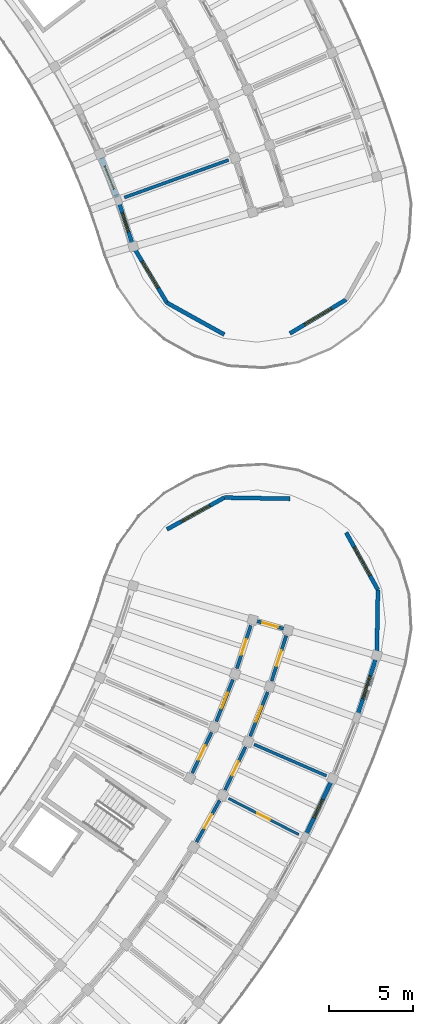
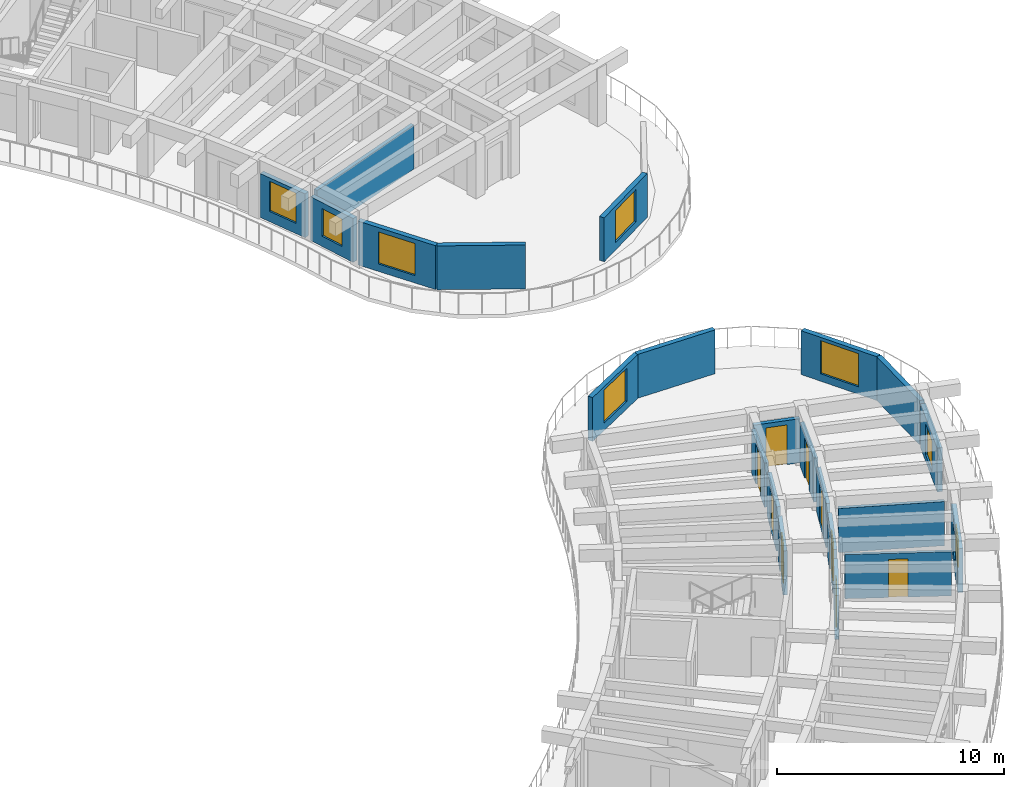
# One storey, part 69 of 96: 22 walls, 9 doors, 8 windows, 17 openings.
"""IFC4 building model written with IfcOpenShell, lengths in metres."""

from ifc_helpers import new_model, si_unit, direction, frame, frame_2d, origin, place, context, subcontext, project, spatial, rectangle, extrude, material, layer, layer_set, type_object, element, fill, save


model = new_model("IFC4")

# Units and contexts
model_context = context("Model", 3, precision=1e-05, world=origin(), true_north=direction((0.0, 1.0)))
body_context = subcontext(model_context, "Body", "Model", "MODEL_VIEW")
ifc_project = project(units=[si_unit("LENGTHUNIT", "METRE"), si_unit("AREAUNIT", "SQUARE_METRE"), si_unit("VOLUMEUNIT", "CUBIC_METRE"), si_unit("PLANEANGLEUNIT", "RADIAN"), si_unit("MASSUNIT", "GRAM", prefix="KILO")], contexts=[model_context])

# Site, building, storey
site_placement = place(None, origin())
site = spatial("IfcSite", under=ifc_project, at=site_placement, CompositionType="ELEMENT")
building_placement = place(site_placement, origin())
building = spatial("IfcBuilding", under=site, at=building_placement, Name="Tanwirah Colonnade Gardens", CompositionType="ELEMENT")
storey_placement = place(building_placement, frame((0.0, 0.0, 12.199951171875)))
storey = spatial("IfcBuildingStorey", under=building, at=storey_placement, Name="L03", CompositionType="ELEMENT", Elevation=12.199951171875)

# Wall, opening, window
ifc_material_1 = material(Name="Limestone architectural precast concrete C40/50", Category="masonry")
ifc_layer_1 = layer(ifc_material_1, 0.239990234375)
ifc_layer_set_1 = layer_set([ifc_layer_1], Name="Limestone architectural precast concrete C40/50")
wall_type_1 = type_object("IfcWallType", Name="EW-PC240", PredefinedType="SOLIDWALL", material=ifc_layer_set_1)
wall_1_placement = place(storey_placement, frame((163.65283203125, 72.685302734375, 0.0), z_axis=(0.0, 0.0, 1.0), x_axis=(-0.30716379336, 0.951656662903, 0.0)))
wall_1 = element("IfcWall", 1, at=wall_1_placement, inside=storey, type_object=wall_type_1, Name="Block B L03 IN Precast Facade Wall 0", PredefinedType="SOLIDWALL", context=body_context, shape_type="SweptSolid", body=[
    extrude(rectangle(XDim=2.525146484375, YDim=0.239990234375, at=frame_2d((1.2626953125, 0.0))), origin(), (0.0, 0.0, 1.0), 2.35498046875),
])
opening_1_placement = place(wall_1_placement, frame((0.672607421875, 0.0, 0.550048828125)))
opening_1 = element("IfcOpeningElement", 2, at=opening_1_placement, cuts=wall_1, Name="Opening WIN-T16", PredefinedType="OPENING", context=body_context, shape_type="SweptSolid", body=[
    extrude(rectangle(XDim=1.179931640625, YDim=1.47998046875, at=frame_2d((0.58984375, 0.739990234375))), frame((0.0, 0.1298828125, 0.0), z_axis=(0.0, -1.0, 0.0), x_axis=(1.0, 0.0, 0.0)), (0.0, 0.0, 1.0), 0.260009765625),
])
ifc_material_2 = material(Name="Thermally broken bronze aluminium and solar low-E double glazing", Category="aluminium")
window_type_1 = type_object("IfcWindowType", Name="WIN-T16", PartitioningType="SINGLE_PANEL", PredefinedType="WINDOW", material=ifc_material_2)
window_1_placement = place(opening_1_placement, origin())
window_1 = element("IfcWindow", 3, at=window_1_placement, inside=storey, type_object=window_type_1, Name="Facade window B-L03-IN-00", OverallHeight=1.47998046875, OverallWidth=1.179931640625, PartitioningType="SINGLE_PANEL", PredefinedType="WINDOW", context=body_context, shape_type="SweptSolid", body=[
    extrude(rectangle(XDim=1.179931640625, YDim=1.47998046875, at=frame_2d((0.58984375, 0.739990234375))), frame((0.0, 0.030029296875, 0.0), z_axis=(0.0, -1.0, 0.0), x_axis=(1.0, 0.0, 0.0)), (0.0, 0.0, 1.0), 0.06005859375),
])
fill(opening_1, window_1)

wall_2_placement = place(storey_placement, frame((162.768798828125, 75.389404296875, 0.0), z_axis=(0.0, 0.0, 1.0), x_axis=(-0.369122600107, 0.92938071106, 0.0)))
wall_2 = element("IfcWall", 4, at=wall_2_placement, inside=storey, type_object=wall_type_1, Name="Block B L03 IN Precast Facade Wall 1", PredefinedType="SOLIDWALL", context=body_context, shape_type="SweptSolid", body=[
    extrude(rectangle(XDim=2.525146484375, YDim=0.239990234375, at=frame_2d((1.2626953125, 0.0))), origin(), (0.0, 0.0, 1.0), 2.35498046875),
])
opening_2_placement = place(wall_2_placement, frame((0.522705078125, 0.0, 0.550048828125)))
opening_2 = element("IfcOpeningElement", 5, at=opening_2_placement, cuts=wall_2, Name="Opening WIN-T19", PredefinedType="OPENING", context=body_context, shape_type="SweptSolid", body=[
    extrude(rectangle(XDim=1.47998046875, YDim=1.6201171875, at=frame_2d((0.739990234375, 0.81005859375))), frame((0.0, 0.1298828125, 0.0), z_axis=(0.0, -1.0, 0.0), x_axis=(1.0, 0.0, 0.0)), (0.0, 0.0, 1.0), 0.260009765625),
])
window_type_2 = type_object("IfcWindowType", Name="WIN-T19", PartitioningType="DOUBLE_PANEL_VERTICAL", PredefinedType="WINDOW", material=ifc_material_2)
window_2_placement = place(opening_2_placement, origin())
window_2 = element("IfcWindow", 6, at=window_2_placement, inside=storey, type_object=window_type_2, Name="Facade window B-L03-IN-01", OverallHeight=1.6201171875, OverallWidth=1.47998046875, PartitioningType="SINGLE_PANEL", PredefinedType="WINDOW", context=body_context, shape_type="SweptSolid", body=[
    extrude(rectangle(XDim=1.47998046875, YDim=1.6201171875, at=frame_2d((0.739990234375, 0.81005859375))), frame((0.0, 0.030029296875, 0.0), z_axis=(0.0, -1.0, 0.0), x_axis=(1.0, 0.0, 0.0)), (0.0, 0.0, 1.0), 0.06005859375),
])
fill(opening_2, window_2)

wall_3_placement = place(storey_placement, frame((176.41650390625, 69.28857421875, 0.0), z_axis=(0.0, 0.0, 1.0), x_axis=(-0.85715098885, -0.515065221417, 0.0)))
wall_3 = element("IfcWall", 7, at=wall_3_placement, inside=storey, type_object=wall_type_1, Name="Block B L03 START Rounded End Wall 2", PredefinedType="SOLIDWALL", context=body_context, shape_type="SweptSolid", body=[
    extrude(rectangle(XDim=3.908203125, YDim=0.239990234375, at=frame_2d((1.9541015625, 0.0))), origin(), (0.0, 0.0, 1.0), 2.35498046875),
])
opening_3_placement = place(wall_3_placement, frame((1.029052734375, 0.0, 0.39990234375)))
opening_3 = element("IfcOpeningElement", 8, at=opening_3_placement, cuts=wall_3, Name="Opening WIN-END1", PredefinedType="OPENING", context=body_context, shape_type="SweptSolid", body=[
    extrude(rectangle(XDim=1.85009765625, YDim=1.719970703125, at=frame_2d((0.925048828125, 0.85986328125))), frame((0.0, 0.1298828125, 0.0), z_axis=(0.0, -1.0, 0.0), x_axis=(1.0, 0.0, 0.0)), (0.0, 0.0, 1.0), 0.260009765625),
])
window_type_3 = type_object("IfcWindowType", Name="WIN-END1", PartitioningType="TRIPLE_PANEL_VERTICAL", PredefinedType="WINDOW", material=ifc_material_2)
window_3_placement = place(opening_3_placement, origin())
window_3 = element("IfcWindow", 9, at=window_3_placement, inside=storey, type_object=window_type_3, Name="Rounded corner window B-L03-START-2", OverallHeight=1.719970703125, OverallWidth=1.85009765625, PartitioningType="SINGLE_PANEL", PredefinedType="WINDOW", context=body_context, shape_type="SweptSolid", body=[
    extrude(rectangle(XDim=1.85009765625, YDim=1.719970703125, at=frame_2d((0.925048828125, 0.85986328125))), frame((0.0, 0.030029296875, 0.0), z_axis=(0.0, -1.0, 0.0), x_axis=(1.0, 0.0, 0.0)), (0.0, 0.0, 1.0), 0.06005859375),
])
fill(opening_3, window_3)

# Wall
wall_4_placement = place(storey_placement, frame((169.1591796875, 67.20751953125, 0.0), z_axis=(0.0, 0.0, 1.0), x_axis=(-0.874643043537, 0.484767517881, 0.0)))
element("IfcWall", 10, at=wall_4_placement, inside=storey, type_object=wall_type_1, Name="Block B L03 START Rounded End Wall 4", PredefinedType="SOLIDWALL", context=body_context, shape_type="SweptSolid", body=[
    extrude(rectangle(XDim=3.908203125, YDim=0.239990234375, at=frame_2d((1.9541015625, 0.0))), origin(), (0.0, 0.0, 1.0), 2.35498046875),
])

# Wall, opening, window
wall_5_placement = place(storey_placement, frame((165.740966796875, 69.10205078125, 0.0), z_axis=(0.0, 0.0, 1.0), x_axis=(-0.515037642827, 0.857167560324, 0.0)))
wall_5 = element("IfcWall", 11, at=wall_5_placement, inside=storey, type_object=wall_type_1, Name="Block B L03 START Rounded End Wall 5", PredefinedType="SOLIDWALL", context=body_context, shape_type="SweptSolid", body=[
    extrude(rectangle(XDim=3.908447265625, YDim=0.239990234375, at=frame_2d((1.9541015625, 0.0))), origin(), (0.0, 0.0, 1.0), 2.35498046875),
])
opening_4_placement = place(wall_5_placement, frame((1.029052734375, 0.0, 0.39990234375)))
opening_4 = element("IfcOpeningElement", 12, at=opening_4_placement, cuts=wall_5, Name="Opening WIN-END1", PredefinedType="OPENING", context=body_context, shape_type="SweptSolid", body=[
    extrude(rectangle(XDim=1.85009765625, YDim=1.719970703125, at=frame_2d((0.925048828125, 0.85986328125))), frame((0.0, 0.1298828125, 0.0), z_axis=(0.0, -1.0, 0.0), x_axis=(1.0, 0.0, 0.0)), (0.0, 0.0, 1.0), 0.260009765625),
])
window_4_placement = place(opening_4_placement, origin())
window_4 = element("IfcWindow", 13, at=window_4_placement, inside=storey, type_object=window_type_3, Name="Rounded corner window B-L03-START-5", OverallHeight=1.719970703125, OverallWidth=1.85009765625, PartitioningType="SINGLE_PANEL", PredefinedType="WINDOW", context=body_context, shape_type="SweptSolid", body=[
    extrude(rectangle(XDim=1.85009765625, YDim=1.719970703125, at=frame_2d((0.925048828125, 0.85986328125))), frame((0.0, 0.030029296875, 0.0), z_axis=(0.0, -1.0, 0.0), x_axis=(1.0, 0.0, 0.0)), (0.0, 0.0, 1.0), 0.06005859375),
])
fill(opening_4, window_4)

wall_6_placement = place(storey_placement, frame((174.009521484375, 37.378173828125, 0.0), z_axis=(0.0, 0.0, 1.0), x_axis=(0.428576879122, 0.903505317462, 0.0)))
wall_6 = element("IfcWall", 14, at=wall_6_placement, inside=storey, type_object=wall_type_1, Name="Block D L03 OUT Precast Facade Wall 13", PredefinedType="SOLIDWALL", context=body_context, shape_type="SweptSolid", body=[
    extrude(rectangle(XDim=3.48681640625, YDim=0.239990234375, at=frame_2d((1.743408203125, 0.0))), origin(), (0.0, 0.0, 1.0), 2.35498046875),
])
opening_5_placement = place(wall_6_placement, frame((1.143310546875, 0.0, 0.550048828125)))
opening_5 = element("IfcOpeningElement", 15, at=opening_5_placement, cuts=wall_6, Name="Opening WIN-U02", PredefinedType="OPENING", context=body_context, shape_type="SweptSolid", body=[
    extrude(rectangle(XDim=1.199951171875, YDim=1.510009765625, at=frame_2d((0.60009765625, 0.7548828125))), frame((0.0, 0.1298828125, 0.0), z_axis=(0.0, -1.0, 0.0), x_axis=(1.0, 0.0, 0.0)), (0.0, 0.0, 1.0), 0.260009765625),
])
window_type_4 = type_object("IfcWindowType", Name="WIN-U02", PartitioningType="DOUBLE_PANEL_VERTICAL", PredefinedType="WINDOW", material=ifc_material_2)
window_5_placement = place(opening_5_placement, origin())
window_5 = element("IfcWindow", 16, at=window_5_placement, inside=storey, type_object=window_type_4, Name="Facade window D-L03-OUT-13", OverallHeight=1.510009765625, OverallWidth=1.199951171875, PartitioningType="SINGLE_PANEL", PredefinedType="WINDOW", context=body_context, shape_type="SweptSolid", body=[
    extrude(rectangle(XDim=1.199951171875, YDim=1.510009765625, at=frame_2d((0.60009765625, 0.7548828125))), frame((0.0, 0.030029296875, 0.0), z_axis=(0.0, -1.0, 0.0), x_axis=(1.0, 0.0, 0.0)), (0.0, 0.0, 1.0), 0.06005859375),
])
fill(opening_5, window_5)

wall_7_placement = place(storey_placement, frame((177.09619140625, 44.529296875, 0.0), z_axis=(0.0, 0.0, 1.0), x_axis=(0.306949591136, 0.951725773793, 0.0)))
wall_7 = element("IfcWall", 17, at=wall_7_placement, inside=storey, type_object=wall_type_1, Name="Block D L03 OUT Precast Facade Wall 15", PredefinedType="SOLIDWALL", context=body_context, shape_type="SweptSolid", body=[
    extrude(rectangle(XDim=3.48681640625, YDim=0.239990234375, at=frame_2d((1.743408203125, 0.0))), origin(), (0.0, 0.0, 1.0), 2.35498046875),
])
opening_6_placement = place(wall_7_placement, frame((1.0234375, 0.0, 0.35009765625)))
opening_6 = element("IfcOpeningElement", 18, at=opening_6_placement, cuts=wall_7, Name="Opening WIN-U08", PredefinedType="OPENING", context=body_context, shape_type="SweptSolid", body=[
    extrude(rectangle(XDim=1.43994140625, YDim=1.659912109375, at=frame_2d((0.719970703125, 0.830078125))), frame((0.0, 0.1298828125, 0.0), z_axis=(0.0, -1.0, 0.0), x_axis=(1.0, 0.0, 0.0)), (0.0, 0.0, 1.0), 0.260009765625),
])
window_type_5 = type_object("IfcWindowType", Name="WIN-U08", PartitioningType="DOUBLE_PANEL_VERTICAL", PredefinedType="WINDOW", material=ifc_material_2)
window_6_placement = place(opening_6_placement, origin())
window_6 = element("IfcWindow", 19, at=window_6_placement, inside=storey, type_object=window_type_5, Name="Facade window D-L03-OUT-15", OverallHeight=1.659912109375, OverallWidth=1.43994140625, PartitioningType="SINGLE_PANEL", PredefinedType="WINDOW", context=body_context, shape_type="SweptSolid", body=[
    extrude(rectangle(XDim=1.43994140625, YDim=1.659912109375, at=frame_2d((0.719970703125, 0.830078125))), frame((0.0, 0.030029296875, 0.0), z_axis=(0.0, -1.0, 0.0), x_axis=(1.0, 0.0, 0.0)), (0.0, 0.0, 1.0), 0.06005859375),
])
fill(opening_6, window_6)

wall_8_placement = place(storey_placement, frame((165.740966796875, 55.597900390625, 0.0), z_axis=(0.0, 0.0, 1.0), x_axis=(0.874616555828, 0.48481530532, 0.0)))
wall_8 = element("IfcWall", 20, at=wall_8_placement, inside=storey, type_object=wall_type_1, Name="Block D L03 END Rounded End Wall 1", PredefinedType="SOLIDWALL", context=body_context, shape_type="SweptSolid", body=[
    extrude(rectangle(XDim=3.908203125, YDim=0.239990234375, at=frame_2d((1.9541015625, 0.0))), origin(), (0.0, 0.0, 1.0), 2.35498046875),
])
opening_7_placement = place(wall_8_placement, frame((0.97900390625, 0.0, 0.39990234375)))
opening_7 = element("IfcOpeningElement", 21, at=opening_7_placement, cuts=wall_8, Name="Opening WIN-END2", PredefinedType="OPENING", context=body_context, shape_type="SweptSolid", body=[
    extrude(rectangle(XDim=1.949951171875, YDim=1.780029296875, at=frame_2d((0.97509765625, 0.89013671875))), frame((0.0, 0.1298828125, 0.0), z_axis=(0.0, -1.0, 0.0), x_axis=(1.0, 0.0, 0.0)), (0.0, 0.0, 1.0), 0.260009765625),
])
window_type_6 = type_object("IfcWindowType", Name="WIN-END2", PartitioningType="TRIPLE_PANEL_VERTICAL", PredefinedType="WINDOW", material=ifc_material_2)
window_7_placement = place(opening_7_placement, origin())
window_7 = element("IfcWindow", 22, at=window_7_placement, inside=storey, type_object=window_type_6, Name="Rounded corner window D-L03-END-1", OverallHeight=1.780029296875, OverallWidth=1.949951171875, PartitioningType="SINGLE_PANEL", PredefinedType="WINDOW", context=body_context, shape_type="SweptSolid", body=[
    extrude(rectangle(XDim=1.949951171875, YDim=1.780029296875, at=frame_2d((0.97509765625, 0.89013671875))), frame((0.0, 0.030029296875, 0.0), z_axis=(0.0, -1.0, 0.0), x_axis=(1.0, 0.0, 0.0)), (0.0, 0.0, 1.0), 0.06005859375),
])
fill(opening_7, window_7)

# Wall
wall_9_placement = place(storey_placement, frame((169.1591796875, 57.49267578125, 0.0), z_axis=(0.0, 0.0, 1.0), x_axis=(0.999847005776, -0.017491856396, 0.0)))
element("IfcWall", 23, at=wall_9_placement, inside=storey, type_object=wall_type_1, Name="Block D L03 END Rounded End Wall 2", PredefinedType="SOLIDWALL", context=body_context, shape_type="SweptSolid", body=[
    extrude(rectangle(XDim=3.907958984375, YDim=0.239990234375, at=frame_2d((1.9541015625, 0.0))), origin(), (0.0, 0.0, 1.0), 2.35498046875),
])

# Wall, opening, window
wall_10_placement = place(storey_placement, frame((176.41650390625, 55.41162109375, 0.0), z_axis=(0.0, 0.0, 1.0), x_axis=(0.48481530532, -0.874616555828, 0.0)))
wall_10 = element("IfcWall", 24, at=wall_10_placement, inside=storey, type_object=wall_type_1, Name="Block D L03 END Rounded End Wall 4", PredefinedType="SOLIDWALL", context=body_context, shape_type="SweptSolid", body=[
    extrude(rectangle(XDim=3.908203125, YDim=0.239990234375, at=frame_2d((1.9541015625, 0.0))), origin(), (0.0, 0.0, 1.0), 2.35498046875),
])
opening_8_placement = place(wall_10_placement, frame((0.97900390625, 0.0, 0.39990234375)))
opening_8 = element("IfcOpeningElement", 25, at=opening_8_placement, cuts=wall_10, Name="Opening WIN-END2", PredefinedType="OPENING", context=body_context, shape_type="SweptSolid", body=[
    extrude(rectangle(XDim=1.949951171875, YDim=1.780029296875, at=frame_2d((0.97509765625, 0.89013671875))), frame((0.0, 0.1298828125, 0.0), z_axis=(0.0, -1.0, 0.0), x_axis=(1.0, 0.0, 0.0)), (0.0, 0.0, 1.0), 0.260009765625),
])
window_8_placement = place(opening_8_placement, origin())
window_8 = element("IfcWindow", 26, at=window_8_placement, inside=storey, type_object=window_type_6, Name="Rounded corner window D-L03-END-4", OverallHeight=1.780029296875, OverallWidth=1.949951171875, PartitioningType="SINGLE_PANEL", PredefinedType="WINDOW", context=body_context, shape_type="SweptSolid", body=[
    extrude(rectangle(XDim=1.949951171875, YDim=1.780029296875, at=frame_2d((0.97509765625, 0.89013671875))), frame((0.0, 0.030029296875, 0.0), z_axis=(0.0, -1.0, 0.0), x_axis=(1.0, 0.0, 0.0)), (0.0, 0.0, 1.0), 0.06005859375),
])
fill(opening_8, window_8)

# Wall
wall_11_placement = place(storey_placement, frame((178.311279296875, 51.993408203125, 0.0), z_axis=(0.0, 0.0, 1.0), x_axis=(-0.017428315893, -0.999848115368, 0.0)))
element("IfcWall", 27, at=wall_11_placement, inside=storey, type_object=wall_type_1, Name="Block D L03 END Rounded End Wall 5", PredefinedType="SOLIDWALL", context=body_context, shape_type="SweptSolid", body=[
    extrude(rectangle(XDim=3.908203125, YDim=0.239990234375, at=frame_2d((1.9541015625, 0.0))), origin(), (0.0, 0.0, 1.0), 2.35498046875),
])

# Wall, opening, door
ifc_material_3 = material(Name="Precast concrete C40/50", Category="concrete")
ifc_layer_2 = layer(ifc_material_3, 0.195068359375)
ifc_layer_set_2 = layer_set([ifc_layer_2], Name="Precast concrete C40/50")
wall_type_2 = type_object("IfcWallType", Name="IW-CORR195", PredefinedType="PARTITIONING", material=ifc_layer_set_2)
wall_12_placement = place(storey_placement, frame((167.500244140625, 36.968017578125, 0.0), z_axis=(0.0, 0.0, 1.0), x_axis=(0.48673124079, 0.8735517725, 0.0)))
wall_12 = element("IfcWall", 28, at=wall_12_placement, inside=storey, type_object=wall_type_2, Name="Block D L03 OUT Corridor Wall 12", PredefinedType="PARTITIONING", context=body_context, shape_type="SweptSolid", body=[
    extrude(rectangle(XDim=2.8369140625, YDim=0.195068359375, at=frame_2d((1.41845703125, 0.0))), origin(), (0.0, 0.0, 1.0), 2.3701171875),
])
opening_9_placement = place(wall_12_placement, frame((0.943603515625, 0.0, 0.0)))
opening_9 = element("IfcOpeningElement", 29, at=opening_9_placement, cuts=wall_12, Name="Opening L03-AD1788", PredefinedType="OPENING", context=body_context, shape_type="SweptSolid", body=[
    extrude(rectangle(XDim=0.949951171875, YDim=2.1298828125, at=frame_2d((0.47509765625, 1.06494140625))), frame((0.0, 0.107421875, 0.0), z_axis=(0.0, -1.0, 0.0), x_axis=(1.0, 0.0, 0.0)), (0.0, 0.0, 1.0), 0.215087890625),
])
ifc_material_4 = material(Name="Solid oak fire-resisting apartment entrance door")
door_type_1 = type_object("IfcDoorType", Name="ID-FLT095", OperationType="NOTDEFINED", PredefinedType="DOOR", material=ifc_material_4)
door_1_placement = place(opening_9_placement, origin())
door_1 = element("IfcDoor", 30, at=door_1_placement, inside=storey, type_object=door_type_1, Name="Apartment corridor door L03-AD1788", OperationType="SINGLE_SWING_RIGHT", OverallHeight=2.1298828125, OverallWidth=0.949951171875, PredefinedType="DOOR", context=body_context, shape_type="SweptSolid", body=[
    extrude(rectangle(XDim=0.949951171875, YDim=2.1298828125, at=frame_2d((0.47509765625, 1.06494140625))), frame((0.0, 0.02490234375, 0.0), z_axis=(0.0, -1.0, 0.0), x_axis=(1.0, 0.0, 0.0)), (0.0, 0.0, 1.0), 0.050048828125),
])
fill(opening_9, door_1)

wall_13_placement = place(storey_placement, frame((169.201416015625, 40.068115234375, 0.0), z_axis=(0.0, 0.0, 1.0), x_axis=(0.428493237107, 0.903544988229, 0.0)))
wall_13 = element("IfcWall", 31, at=wall_13_placement, inside=storey, type_object=wall_type_2, Name="Block D L03 OUT Corridor Wall 13", PredefinedType="PARTITIONING", context=body_context, shape_type="SweptSolid", body=[
    extrude(rectangle(XDim=2.8369140625, YDim=0.195068359375, at=frame_2d((1.41845703125, 0.0))), origin(), (0.0, 0.0, 1.0), 2.3701171875),
])
opening_10_placement = place(wall_13_placement, frame((0.95361328125, 0.0, 0.0)))
opening_10 = element("IfcOpeningElement", 32, at=opening_10_placement, cuts=wall_13, Name="Opening L03-AD1791", PredefinedType="OPENING", context=body_context, shape_type="SweptSolid", body=[
    extrude(rectangle(XDim=0.929931640625, YDim=2.1201171875, at=frame_2d((0.46484375, 1.06005859375))), frame((0.0, 0.107421875, 0.0), z_axis=(0.0, -1.0, 0.0), x_axis=(1.0, 0.0, 0.0)), (0.0, 0.0, 1.0), 0.215087890625),
])
door_type_2 = type_object("IfcDoorType", Name="ID-FLT093", OperationType="NOTDEFINED", PredefinedType="DOOR", material=ifc_material_4)
door_2_placement = place(opening_10_placement, origin())
door_2 = element("IfcDoor", 33, at=door_2_placement, inside=storey, type_object=door_type_2, Name="Apartment corridor door L03-AD1791", OperationType="SINGLE_SWING_LEFT", OverallHeight=2.1201171875, OverallWidth=0.929931640625, PredefinedType="DOOR", context=body_context, shape_type="SweptSolid", body=[
    extrude(rectangle(XDim=0.929931640625, YDim=2.1201171875, at=frame_2d((0.46484375, 1.06005859375))), frame((0.0, 0.02490234375, 0.0), z_axis=(0.0, -1.0, 0.0), x_axis=(1.0, 0.0, 0.0)), (0.0, 0.0, 1.0), 0.050048828125),
])
fill(opening_10, door_2)

wall_14_placement = place(storey_placement, frame((167.24560546875, 41.075439453125, 0.0), z_axis=(0.0, 0.0, 1.0), x_axis=(0.428550049392, 0.903518043631, 0.0)))
wall_14 = element("IfcWall", 34, at=wall_14_placement, inside=storey, type_object=wall_type_2, Name="Block D L03 IN Corridor Wall 13", PredefinedType="PARTITIONING", context=body_context, shape_type="SweptSolid", body=[
    extrude(rectangle(XDim=2.69287109375, YDim=0.195068359375, at=frame_2d((1.346435546875, 0.0))), origin(), (0.0, 0.0, 1.0), 2.3701171875),
])
opening_11_placement = place(wall_14_placement, frame((0.881591796875, 0.0, 0.0)))
opening_11 = element("IfcOpeningElement", 35, at=opening_11_placement, cuts=wall_14, Name="Opening L03-AD1792", PredefinedType="OPENING", context=body_context, shape_type="SweptSolid", body=[
    extrude(rectangle(XDim=0.929931640625, YDim=2.1201171875, at=frame_2d((0.46484375, 1.06005859375))), frame((0.0, 0.107421875, 0.0), z_axis=(0.0, -1.0, 0.0), x_axis=(1.0, 0.0, 0.0)), (0.0, 0.0, 1.0), 0.215087890625),
])
door_3_placement = place(opening_11_placement, origin())
door_3 = element("IfcDoor", 36, at=door_3_placement, inside=storey, type_object=door_type_2, Name="Apartment corridor door L03-AD1792", OperationType="SINGLE_SWING_RIGHT", OverallHeight=2.1201171875, OverallWidth=0.929931640625, PredefinedType="DOOR", context=body_context, shape_type="SweptSolid", body=[
    extrude(rectangle(XDim=0.929931640625, YDim=2.1201171875, at=frame_2d((0.46484375, 1.06005859375))), frame((0.0, 0.02490234375, 0.0), z_axis=(0.0, -1.0, 0.0), x_axis=(1.0, 0.0, 0.0)), (0.0, 0.0, 1.0), 0.050048828125),
])
fill(opening_11, door_3)

wall_15_placement = place(storey_placement, frame((170.696044921875, 43.27294921875, 0.0), z_axis=(0.0, 0.0, 1.0), x_axis=(0.368584691693, 0.929594172233, 0.0)))
wall_15 = element("IfcWall", 37, at=wall_15_placement, inside=storey, type_object=wall_type_2, Name="Block D L03 OUT Corridor Wall 14", PredefinedType="PARTITIONING", context=body_context, shape_type="SweptSolid", body=[
    extrude(rectangle(XDim=2.8369140625, YDim=0.195068359375, at=frame_2d((1.41845703125, 0.0))), origin(), (0.0, 0.0, 1.0), 2.3701171875),
])
opening_12_placement = place(wall_15_placement, frame((0.923583984375, 0.0, 0.0)))
opening_12 = element("IfcOpeningElement", 38, at=opening_12_placement, cuts=wall_15, Name="Opening L03-AD1794", PredefinedType="OPENING", context=body_context, shape_type="SweptSolid", body=[
    extrude(rectangle(XDim=0.989990234375, YDim=2.159912109375, at=frame_2d((0.4951171875, 1.080078125))), frame((0.0, 0.107421875, 0.0), z_axis=(0.0, -1.0, 0.0), x_axis=(1.0, 0.0, 0.0)), (0.0, 0.0, 1.0), 0.215087890625),
])
door_type_3 = type_object("IfcDoorType", Name="ID-FLT099", OperationType="NOTDEFINED", PredefinedType="DOOR", material=ifc_material_4)
door_4_placement = place(opening_12_placement, origin())
door_4 = element("IfcDoor", 39, at=door_4_placement, inside=storey, type_object=door_type_3, Name="Apartment corridor door L03-AD1794", OperationType="SINGLE_SWING_RIGHT", OverallHeight=2.159912109375, OverallWidth=0.989990234375, PredefinedType="DOOR", context=body_context, shape_type="SweptSolid", body=[
    extrude(rectangle(XDim=0.989990234375, YDim=2.159912109375, at=frame_2d((0.4951171875, 1.080078125))), frame((0.0, 0.02490234375, 0.0), z_axis=(0.0, -1.0, 0.0), x_axis=(1.0, 0.0, 0.0)), (0.0, 0.0, 1.0), 0.050048828125),
])
fill(opening_12, door_4)

wall_16_placement = place(storey_placement, frame((168.678466796875, 44.150146484375, 0.0), z_axis=(0.0, 0.0, 1.0), x_axis=(0.368528468945, 0.929616462622, 0.0)))
wall_16 = element("IfcWall", 40, at=wall_16_placement, inside=storey, type_object=wall_type_2, Name="Block D L03 IN Corridor Wall 14", PredefinedType="PARTITIONING", context=body_context, shape_type="SweptSolid", body=[
    extrude(rectangle(XDim=2.69287109375, YDim=0.195068359375, at=frame_2d((1.346435546875, 0.0))), origin(), (0.0, 0.0, 1.0), 2.3701171875),
])
opening_13_placement = place(wall_16_placement, frame((0.8515625, 0.0, 0.0)))
opening_13 = element("IfcOpeningElement", 41, at=opening_13_placement, cuts=wall_16, Name="Opening L03-AD1795", PredefinedType="OPENING", context=body_context, shape_type="SweptSolid", body=[
    extrude(rectangle(XDim=0.989990234375, YDim=2.159912109375, at=frame_2d((0.4951171875, 1.080078125))), frame((0.0, 0.107421875, 0.0), z_axis=(0.0, -1.0, 0.0), x_axis=(1.0, 0.0, 0.0)), (0.0, 0.0, 1.0), 0.215087890625),
])
door_5_placement = place(opening_13_placement, origin())
door_5 = element("IfcDoor", 42, at=door_5_placement, inside=storey, type_object=door_type_3, Name="Apartment corridor door L03-AD1795", OperationType="SINGLE_SWING_LEFT", OverallHeight=2.159912109375, OverallWidth=0.989990234375, PredefinedType="DOOR", context=body_context, shape_type="SweptSolid", body=[
    extrude(rectangle(XDim=0.989990234375, YDim=2.159912109375, at=frame_2d((0.4951171875, 1.080078125))), frame((0.0, 0.02490234375, 0.0), z_axis=(0.0, -1.0, 0.0), x_axis=(1.0, 0.0, 0.0)), (0.0, 0.0, 1.0), 0.050048828125),
])
fill(opening_13, door_5)

wall_17_placement = place(storey_placement, frame((171.97802734375, 46.568603515625, 0.0), z_axis=(0.0, 0.0, 1.0), x_axis=(0.30694495224, 0.951727269912, 0.0)))
wall_17 = element("IfcWall", 43, at=wall_17_placement, inside=storey, type_object=wall_type_2, Name="Block D L03 OUT Corridor Wall 15", PredefinedType="PARTITIONING", context=body_context, shape_type="SweptSolid", body=[
    extrude(rectangle(XDim=2.837158203125, YDim=0.195068359375, at=frame_2d((1.41845703125, 0.0))), origin(), (0.0, 0.0, 1.0), 2.3701171875),
])
opening_14_placement = place(wall_17_placement, frame((0.93359375, 0.0, 0.0)))
opening_14 = element("IfcOpeningElement", 44, at=opening_14_placement, cuts=wall_17, Name="Opening L03-AD1796", PredefinedType="OPENING", context=body_context, shape_type="SweptSolid", body=[
    extrude(rectangle(XDim=0.969970703125, YDim=2.14990234375, at=frame_2d((0.48486328125, 1.074951171875))), frame((0.0, 0.107421875, 0.0), z_axis=(0.0, -1.0, 0.0), x_axis=(1.0, 0.0, 0.0)), (0.0, 0.0, 1.0), 0.215087890625),
])
door_type_4 = type_object("IfcDoorType", Name="ID-FLT097", OperationType="NOTDEFINED", PredefinedType="DOOR", material=ifc_material_4)
door_6_placement = place(opening_14_placement, origin())
door_6 = element("IfcDoor", 45, at=door_6_placement, inside=storey, type_object=door_type_4, Name="Apartment corridor door L03-AD1796", OperationType="SINGLE_SWING_LEFT", OverallHeight=2.14990234375, OverallWidth=0.969970703125, PredefinedType="DOOR", context=body_context, shape_type="SweptSolid", body=[
    extrude(rectangle(XDim=0.969970703125, YDim=2.14990234375, at=frame_2d((0.48486328125, 1.074951171875))), frame((0.0, 0.02490234375, 0.0), z_axis=(0.0, -1.0, 0.0), x_axis=(1.0, 0.0, 0.0)), (0.0, 0.0, 1.0), 0.050048828125),
])
fill(opening_14, door_6)

wall_18_placement = place(storey_placement, frame((169.907470703125, 47.31201171875, 0.0), z_axis=(0.0, 0.0, 1.0), x_axis=(0.306883578189, 0.951747061691, 0.0)))
wall_18 = element("IfcWall", 46, at=wall_18_placement, inside=storey, type_object=wall_type_2, Name="Block D L03 IN Corridor Wall 15", PredefinedType="PARTITIONING", context=body_context, shape_type="SweptSolid", body=[
    extrude(rectangle(XDim=2.69287109375, YDim=0.195068359375, at=frame_2d((1.346435546875, 0.0))), origin(), (0.0, 0.0, 1.0), 2.3701171875),
])
opening_15_placement = place(wall_18_placement, frame((0.861572265625, 0.0, 0.0)))
opening_15 = element("IfcOpeningElement", 47, at=opening_15_placement, cuts=wall_18, Name="Opening L03-AD1797", PredefinedType="OPENING", context=body_context, shape_type="SweptSolid", body=[
    extrude(rectangle(XDim=0.969970703125, YDim=2.14990234375, at=frame_2d((0.48486328125, 1.074951171875))), frame((0.0, 0.107421875, 0.0), z_axis=(0.0, -1.0, 0.0), x_axis=(1.0, 0.0, 0.0)), (0.0, 0.0, 1.0), 0.215087890625),
])
door_7_placement = place(opening_15_placement, origin())
door_7 = element("IfcDoor", 48, at=door_7_placement, inside=storey, type_object=door_type_4, Name="Apartment corridor door L03-AD1797", OperationType="SINGLE_SWING_RIGHT", OverallHeight=2.14990234375, OverallWidth=0.969970703125, PredefinedType="DOOR", context=body_context, shape_type="SweptSolid", body=[
    extrude(rectangle(XDim=0.969970703125, YDim=2.14990234375, at=frame_2d((0.48486328125, 1.074951171875))), frame((0.0, 0.02490234375, 0.0), z_axis=(0.0, -1.0, 0.0), x_axis=(1.0, 0.0, 0.0)), (0.0, 0.0, 1.0), 0.050048828125),
])
fill(opening_15, door_7)

wall_19_placement = place(storey_placement, frame((170.889404296875, 50.1943359375, 0.0), z_axis=(0.0, 0.0, 1.0), x_axis=(0.961264701934, -0.275626872449, 0.0)))
wall_19 = element("IfcWall", 49, at=wall_19_placement, inside=storey, type_object=wall_type_2, Name="Block D L03 CE Corner Suite Corridor Wall", PredefinedType="PARTITIONING", context=body_context, shape_type="SweptSolid", body=[
    extrude(rectangle(XDim=2.10009765625, YDim=0.195068359375, at=frame_2d((1.050048828125, 0.0))), origin(), (0.0, 0.0, 1.0), 2.3701171875),
])
opening_16_placement = place(wall_19_placement, frame((0.570068359375, 0.0, 0.0)))
opening_16 = element("IfcOpeningElement", 50, at=opening_16_placement, cuts=wall_19, Name="Opening L03-CD1799", PredefinedType="OPENING", context=body_context, shape_type="SweptSolid", body=[
    extrude(rectangle(XDim=0.949951171875, YDim=2.1298828125, at=frame_2d((0.47509765625, 1.06494140625))), frame((0.0, 0.107421875, 0.0), z_axis=(0.0, -1.0, 0.0), x_axis=(1.0, 0.0, 0.0)), (0.0, 0.0, 1.0), 0.215087890625),
])
door_8_placement = place(opening_16_placement, origin())
door_8 = element("IfcDoor", 51, at=door_8_placement, inside=storey, type_object=door_type_1, Name="Corner suite entrance door L03-CD1799", OperationType="SINGLE_SWING_RIGHT", OverallHeight=2.1298828125, OverallWidth=0.949951171875, PredefinedType="DOOR", context=body_context, shape_type="SweptSolid", body=[
    extrude(rectangle(XDim=0.949951171875, YDim=2.1298828125, at=frame_2d((0.47509765625, 1.06494140625))), frame((0.0, 0.02490234375, 0.0), z_axis=(0.0, -1.0, 0.0), x_axis=(1.0, 0.0, 0.0)), (0.0, 0.0, 1.0), 0.050048828125),
])
fill(opening_16, door_8)

# Walls
ifc_layer_3 = layer(ifc_material_3, 0.175048828125)
ifc_layer_set_3 = layer_set([ifc_layer_3], Name="Precast concrete C40/50")
wall_type_3 = type_object("IfcWallType", Name="IW-DEM175", PredefinedType="PARTITIONING", material=ifc_layer_set_3)
wall_20_placement = place(storey_placement, frame((170.933837890625, 42.7880859375, 0.0), z_axis=(0.0, 0.0, 1.0), x_axis=(0.917071707884, -0.398722312643, 0.0)))
element("IfcWall", 52, at=wall_20_placement, inside=storey, type_object=wall_type_3, Name="Block D L03 Radial Partition 13", PredefinedType="PARTITIONING", context=body_context, shape_type="SweptSolid", body=[
    extrude(rectangle(XDim=4.699951171875, YDim=0.175048828125, at=frame_2d((2.35009765625, 0.0))), origin(), (0.0, 0.0, 1.0), 2.3701171875),
])
ifc_layer_4 = layer(ifc_material_3, 0.18505859375)
ifc_layer_set_4 = layer_set([ifc_layer_4], Name="Precast concrete C40/50")
wall_type_4 = type_object("IfcWallType", Name="IW-DEM185", PredefinedType="PARTITIONING", material=ifc_layer_set_4)
wall_21_placement = place(storey_placement, frame((163.204345703125, 75.3759765625, 0.0), z_axis=(0.0, 0.0, 1.0), x_axis=(0.941005714099, 0.338390670725, 0.0)))
element("IfcWall", 53, at=wall_21_placement, inside=storey, type_object=wall_type_4, Name="Block B L03 Inner Radial Partition 0", PredefinedType="PARTITIONING", context=body_context, shape_type="SweptSolid", body=[
    extrude(rectangle(XDim=6.60009765625, YDim=0.18505859375, at=frame_2d((3.300048828125, 0.0))), origin(), (0.0, 0.0, 1.0), 2.3701171875),
])

# Wall, opening, door
ifc_material_5 = material(Name="Water-resistant acoustic plumbing partition")
ifc_layer_5 = layer(ifc_material_5, 0.14990234375)
ifc_layer_set_5 = layer_set([ifc_layer_5], Name="Water-resistant acoustic plumbing partition")
wall_type_5 = type_object("IfcWallType", Name="IW-WET150", PredefinedType="PLUMBINGWALL", material=ifc_layer_set_5)
wall_22_placement = place(storey_placement, frame((169.406982421875, 39.56884765625, 0.0), z_axis=(0.0, 0.0, 1.0), x_axis=(0.889013002038, -0.457881952262, 0.0)))
wall_22 = element("IfcWall", 54, at=wall_22_placement, inside=storey, type_object=wall_type_5, Name="Block D L03 Radial Partition 12", PredefinedType="PLUMBINGWALL", context=body_context, shape_type="SweptSolid", body=[
    extrude(rectangle(XDim=4.7001953125, YDim=0.14990234375, at=frame_2d((2.35009765625, 0.0))), origin(), (0.0, 0.0, 1.0), 2.3701171875),
])
opening_17_placement = place(wall_22_placement, frame((1.925048828125, 0.0, 0.0)))
opening_17 = element("IfcOpeningElement", 55, at=opening_17_placement, cuts=wall_22, Name="Opening L03-RD1789", PredefinedType="OPENING", context=body_context, shape_type="SweptSolid", body=[
    extrude(rectangle(XDim=0.85009765625, YDim=2.050048828125, at=frame_2d((0.425048828125, 1.02490234375))), frame((0.0, 0.0849609375, 0.0), z_axis=(0.0, -1.0, 0.0), x_axis=(1.0, 0.0, 0.0)), (0.0, 0.0, 1.0), 0.169921875),
])
ifc_material_6 = material(Name="Moisture-resistant en-suite door")
door_type_5 = type_object("IfcDoorType", Name="ID-WET085", OperationType="NOTDEFINED", PredefinedType="DOOR", material=ifc_material_6)
door_9_placement = place(opening_17_placement, origin())
door_9 = element("IfcDoor", 56, at=door_9_placement, inside=storey, type_object=door_type_5, Name="Internal apartment door L03-RD1789", OperationType="SINGLE_SWING_RIGHT", OverallHeight=2.050048828125, OverallWidth=0.85009765625, PredefinedType="DOOR", context=body_context, shape_type="SweptSolid", body=[
    extrude(rectangle(XDim=0.85009765625, YDim=2.050048828125, at=frame_2d((0.425048828125, 1.02490234375))), frame((0.0, 0.02490234375, 0.0), z_axis=(0.0, -1.0, 0.0), x_axis=(1.0, 0.0, 0.0)), (0.0, 0.0, 1.0), 0.050048828125),
])
fill(opening_17, door_9)

save(model, "model.ifc")
